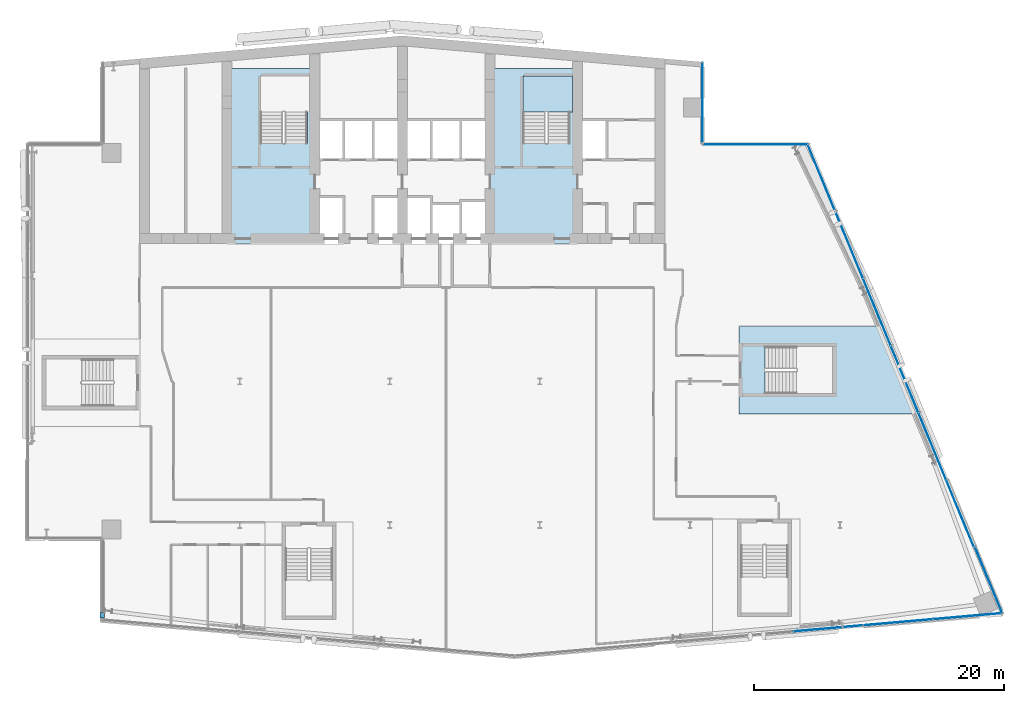
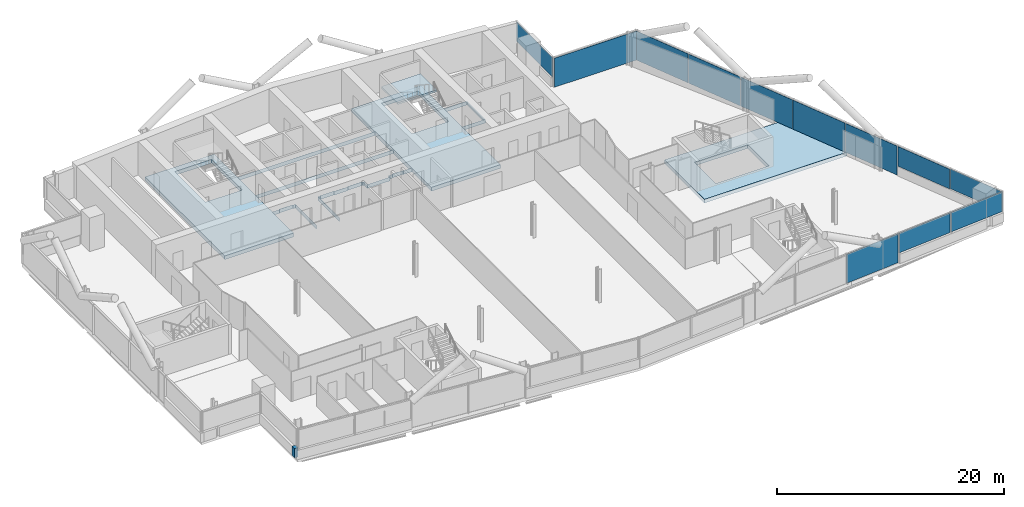
# One storey, part 14 of 26: 12 plates, 3 slabs, 1 wall, 5 elements without a shape of their own.
"""IFC4 building model written with IfcOpenShell, lengths in metres."""

from ifc_helpers import new_model, si_unit, direction, frame, frame_2d, origin, origin_2d, place, context, subcontext, project, spatial, polyline, rectangle, outline, extrude, material, layer, layer_set, type_object, element, aggregate, save


model = new_model("IFC4")

# Units and contexts
model_context = context("Model", 3, precision=1e-05, world=origin(), true_north=direction((0.0, 1.0)))
body_context = subcontext(model_context, "Body", "Model", "MODEL_VIEW")
ifc_project = project(units=[si_unit("LENGTHUNIT", "METRE"), si_unit("AREAUNIT", "SQUARE_METRE"), si_unit("VOLUMEUNIT", "CUBIC_METRE"), si_unit("PLANEANGLEUNIT", "RADIAN"), si_unit("MASSUNIT", "GRAM", prefix="KILO")], contexts=[model_context])

# Site, building, storey
site_placement = place(None, origin())
site = spatial("IfcSite", under=ifc_project, at=site_placement, CompositionType="ELEMENT")
building_placement = place(site_placement, origin())
building = spatial("IfcBuilding", under=site, at=building_placement, Name="Wharfspan Tower", CompositionType="ELEMENT")
storey_placement = place(building_placement, frame((0.0, 0.0, 177.100098)))
storey = spatial("IfcBuildingStorey", under=building, at=storey_placement, Name="L43", CompositionType="ELEMENT", Elevation=177.100098)

# Curtain wall, plates
ifc_material_1 = material(Name="Aluminium 6063-T6", Category="aluminium")
curtain_wall_type_1 = type_object("IfcCurtainWallType", Name="CURTAIN WALL FACETED FRONT", PredefinedType="NOTDEFINED", material=ifc_material_1)
curtain_wall_1_placement = place(storey_placement, origin())
curtain_wall_1 = element("IfcCurtainWall", 1, at=curtain_wall_1_placement, inside=storey, type_object=curtain_wall_type_1, Name="Curtain wall S2", PredefinedType="NOTDEFINED")
ifc_material_2 = material(Name="Glass clear low-iron double glazing", Category="glass")
ifc_layer_1 = layer(ifc_material_2, 0.040039)
ifc_layer_set_1 = layer_set([ifc_layer_1], Name="Glass clear low-iron double glazing")
plate_type_1 = type_object("IfcPlateType", Name="GLASS PANEL FACETED FRONT 40", PredefinedType="CURTAIN_PANEL", material=ifc_layer_set_1)
plate_1_placement = place(storey_placement, frame((76.637695, 3.728516, 0.999756), z_axis=(0.0, 0.0, 1.0), x_axis=(0.996198, 0.087156, 0.0)))
plate_1 = element("IfcPlate", 2, at=plate_1_placement, type_object=plate_type_1, Name="Curtain wall S2 panel 6", PredefinedType="CURTAIN_PANEL", context=body_context, shape_type="SweptSolid", body=[
    extrude(rectangle(XDim=5.532715, YDim=0.040039, at=origin_2d()), origin(), (0.0, 0.0, 1.0), 2.120117),
])
plate_2_placement = place(storey_placement, frame((82.194092, 4.214844, 0.999756), z_axis=(0.0, 0.0, 1.0), x_axis=(0.996198, 0.087156, 0.0)))
plate_2 = element("IfcPlate", 3, at=plate_2_placement, type_object=plate_type_1, Name="Curtain wall S2 panel 7", PredefinedType="CURTAIN_PANEL", context=body_context, shape_type="SweptSolid", body=[
    extrude(rectangle(XDim=5.502686, YDim=0.040039, at=origin_2d()), origin(), (0.0, 0.0, 1.0), 2.120117),
])

curtain_wall_type_2 = type_object("IfcCurtainWallType", Name="CURTAIN WALL PROW AND END", PredefinedType="NOTDEFINED", material=ifc_material_1)
curtain_wall_2_placement = place(storey_placement, origin())
curtain_wall_2 = element("IfcCurtainWall", 4, at=curtain_wall_2_placement, inside=storey, type_object=curtain_wall_type_2, Name="Curtain wall E", PredefinedType="NOTDEFINED")
ifc_layer_2 = layer(ifc_material_2, 0.040039)
ifc_layer_set_2 = layer_set([ifc_layer_2], Name="Glass clear low-iron double glazing")
plate_type_2 = type_object("IfcPlateType", Name="GLASS PANEL PROW AND END 40", PredefinedType="CURTAIN_PANEL", material=ifc_layer_set_2)
plate_3_placement = place(storey_placement, frame((83.885498, 7.099609, 0.999756), z_axis=(0.0, 0.0, 1.0), x_axis=(-0.381602, 0.924325, 0.0)))
plate_3 = element("IfcPlate", 5, at=plate_3_placement, type_object=plate_type_2, Name="Curtain wall E panel 1", PredefinedType="CURTAIN_PANEL", context=body_context, shape_type="SweptSolid", body=[
    extrude(rectangle(XDim=5.721191, YDim=0.040039, at=origin_2d()), origin(), (0.0, 0.0, 1.0), 2.120117),
])
plate_4_placement = place(storey_placement, frame((81.599609, 12.426514, 0.999756), z_axis=(0.0, 0.0, 1.0), x_axis=(-0.381602, 0.924325, 0.0)))
plate_4 = element("IfcPlate", 6, at=plate_4_placement, type_object=plate_type_2, Name="Curtain wall E panel 2", PredefinedType="CURTAIN_PANEL", context=body_context, shape_type="SweptSolid", body=[
    extrude(rectangle(XDim=5.751221, YDim=0.040039, at=origin_2d()), origin(), (0.0, 0.0, 1.0), 2.120117),
])

# Curtain wall, plate
curtain_wall_3_placement = place(storey_placement, origin())
curtain_wall_3 = element("IfcCurtainWall", 7, at=curtain_wall_3_placement, inside=storey, type_object=curtain_wall_type_2, Name="Curtain wall NRE-V", PredefinedType="NOTDEFINED")
plate_5_placement = place(storey_placement, frame((61.0, 45.262451, 0.999756), z_axis=(0.0, 0.0, 1.0), x_axis=(0.0, 1.0, 0.0)))
plate_5 = element("IfcPlate", 8, at=plate_5_placement, type_object=plate_type_2, Name="Curtain wall NRE-V panel 1", PredefinedType="CURTAIN_PANEL", context=body_context, shape_type="SweptSolid", body=[
    extrude(rectangle(XDim=6.405029, YDim=0.040039, at=origin_2d()), origin(), (0.0, 0.0, 1.0), 2.120117),
])
aggregate(curtain_wall_3, [plate_5])

# Plate
ifc_material_3 = material(Name="Aluminium composite opaque insulated panel", Category="aluminium")
ifc_layer_3 = layer(ifc_material_3, 0.040039)
ifc_layer_set_3 = layer_set([ifc_layer_3], Name="Aluminium composite opaque insulated panel")
plate_type_3 = type_object("IfcPlateType", Name="INFILL PANEL FACETED FRONT OPAQUE 40", PredefinedType="SHEET", material=ifc_layer_set_3)
plate_6_placement = place(storey_placement, frame((71.066162, 3.241211, -0.000244), z_axis=(0.0, 0.0, 1.0), x_axis=(0.996198, 0.087156, 0.0)))
plate_6 = element("IfcPlate", 9, at=plate_6_placement, type_object=plate_type_3, Name="Curtain wall S2 panel 5", PredefinedType="SHEET", context=body_context, shape_type="SweptSolid", body=[
    extrude(rectangle(XDim=5.532715, YDim=0.040039, at=origin_2d()), origin(), (0.0, 0.0, 1.0), 3.120117),
])

aggregate(curtain_wall_1, [plate_6, plate_1, plate_2])

ifc_layer_4 = layer(ifc_material_3, 0.040039)
ifc_layer_set_4 = layer_set([ifc_layer_4], Name="Aluminium composite opaque insulated panel")
plate_type_4 = type_object("IfcPlateType", Name="INFILL PANEL PROW AND END OPAQUE 40", PredefinedType="SHEET", material=ifc_layer_set_4)
plate_7_placement = place(storey_placement, frame((79.38208, 17.798096, -0.000244), z_axis=(0.0, 0.0, 1.0), x_axis=(-0.381602, 0.924325, 0.0)))
plate_7 = element("IfcPlate", 10, at=plate_7_placement, type_object=plate_type_4, Name="Curtain wall E panel 3", PredefinedType="SHEET", context=body_context, shape_type="SweptSolid", body=[
    extrude(rectangle(XDim=5.751221, YDim=0.040039, at=origin_2d()), origin(), (0.0, 0.0, 1.0), 3.120117),
])

plate_8_placement = place(storey_placement, frame((77.164551, 23.169434, -0.000244), z_axis=(0.0, 0.0, 1.0), x_axis=(-0.381602, 0.924325, 0.0)))
plate_8 = element("IfcPlate", 11, at=plate_8_placement, type_object=plate_type_4, Name="Curtain wall E panel 4", PredefinedType="SHEET", context=body_context, shape_type="SweptSolid", body=[
    extrude(rectangle(XDim=5.751221, YDim=0.040039, at=origin_2d()), origin(), (0.0, 0.0, 1.0), 3.120117),
])

plate_9_placement = place(storey_placement, frame((74.947021, 28.541016, -0.000244), z_axis=(0.0, 0.0, 1.0), x_axis=(-0.381602, 0.924325, 0.0)))
plate_9 = element("IfcPlate", 12, at=plate_9_placement, type_object=plate_type_4, Name="Curtain wall E panel 5", PredefinedType="SHEET", context=body_context, shape_type="SweptSolid", body=[
    extrude(rectangle(XDim=5.751221, YDim=0.040039, at=origin_2d()), origin(), (0.0, 0.0, 1.0), 3.120117),
])

plate_10_placement = place(storey_placement, frame((72.729492, 33.912354, -0.000244), z_axis=(0.0, 0.0, 1.0), x_axis=(-0.381602, 0.924325, 0.0)))
plate_10 = element("IfcPlate", 13, at=plate_10_placement, type_object=plate_type_4, Name="Curtain wall E panel 6", PredefinedType="SHEET", context=body_context, shape_type="SweptSolid", body=[
    extrude(rectangle(XDim=5.751221, YDim=0.040039, at=origin_2d()), origin(), (0.0, 0.0, 1.0), 3.120117),
])

plate_11_placement = place(storey_placement, frame((70.517578, 39.269775, -0.000244), z_axis=(0.0, 0.0, 1.0), x_axis=(-0.381602, 0.924325, 0.0)))
plate_11 = element("IfcPlate", 14, at=plate_11_placement, type_object=plate_type_4, Name="Curtain wall E panel 7", PredefinedType="SHEET", context=body_context, shape_type="SweptSolid", body=[
    extrude(rectangle(XDim=5.721191, YDim=0.040039, at=origin_2d()), origin(), (0.0, 0.0, 1.0), 3.120117),
])

aggregate(curtain_wall_2, [plate_3, plate_4, plate_7, plate_8, plate_9, plate_10, plate_11])

# Curtain wall, plate
curtain_wall_4_placement = place(storey_placement, origin())
curtain_wall_4 = element("IfcCurtainWall", 15, at=curtain_wall_4_placement, inside=storey, type_object=curtain_wall_type_2, Name="Curtain wall NRE-H", PredefinedType="NOTDEFINED")
plate_12_placement = place(storey_placement, frame((65.238525, 41.919922, -0.000244), z_axis=(0.0, 0.0, 1.0), x_axis=(-1.0, 0.0, 0.0)))
plate_12 = element("IfcPlate", 16, at=plate_12_placement, type_object=plate_type_4, Name="Curtain wall NRE-H panel 1", PredefinedType="SHEET", context=body_context, shape_type="SweptSolid", body=[
    extrude(rectangle(XDim=8.357178, YDim=0.040039, at=origin_2d()), origin(), (0.0, 0.0, 1.0), 3.120117),
])
aggregate(curtain_wall_4, [plate_12])

# Slabs
ifc_material_4 = material(Name="Concrete C40/50", Category="concrete")
ifc_layer_5 = layer(ifc_material_4, 0.399902)
ifc_layer_set_5 = layer_set([ifc_layer_5], Name="Concrete C40/50")
slab_type_1 = type_object("IfcSlabType", Name="Post-tensioned flat slab 400", PredefinedType="FLOOR", material=ifc_layer_set_5)
slab_1_placement = place(storey_placement, frame((0.0, 0.0, -0.400146)))
element("IfcSlab", 17, at=slab_1_placement, inside=storey, type_object=slab_type_1, Name="Core floor slab L43 part 3", PredefinedType="FLOOR", context=body_context, shape_type="SweptSolid", body=[
    extrude(outline(polyline([(23.0, 34.0), (29.998047, 34.0), (29.998047, 37.75), (29.998047, 37.750244), (29.998047, 37.750488), (29.998047, 37.750488), (29.998291, 37.750732), (29.998291, 37.750977), (29.998291, 37.751221), (29.998535, 37.751221), (29.998535, 37.751465), (29.998779, 37.751465), (29.998779, 37.751709), (29.999023, 37.751709), (29.999268, 37.751709), (29.999512, 37.751953), (29.999512, 37.751953), (29.999756, 37.751953), (30.0, 37.751953), (30.7146, 37.751953), (30.7146, 37.800049), (30.7146, 37.800293), (30.7146, 37.800293), (30.714844, 37.800537), (30.714844, 37.800781), (30.714844, 37.800781), (30.715088, 37.801025), (30.715088, 37.80127), (30.715332, 37.801514), (30.715332, 37.801514), (30.715576, 37.801758), (30.71582, 37.801758), (30.71582, 37.801758), (30.716064, 37.802002), (30.716309, 37.802002), (30.716553, 37.802002), (30.716797, 37.802002), (32.116699, 37.802002), (32.116943, 37.802002), (32.117188, 37.802002), (32.117188, 37.802002), (32.117432, 37.801758), (32.117676, 37.801758), (32.11792, 37.801758), (32.11792, 37.801514), (32.118164, 37.801514), (32.118164, 37.80127), (32.118408, 37.801025), (32.118408, 37.800781), (32.118408, 37.800781), (32.118652, 37.800537), (32.118652, 37.800293), (32.118652, 37.800293), (32.118652, 37.800049), (32.118652, 37.751953), (32.333252, 37.751953), (32.333496, 37.751953), (32.33374, 37.751953), (32.333984, 37.751953), (32.333984, 37.751709), (32.334229, 37.751709), (32.334473, 37.751709), (32.334717, 37.751465), (32.334717, 37.751465), (32.334961, 37.751221), (32.334961, 37.751221), (32.335205, 37.750977), (32.335205, 37.750732), (32.335205, 37.750488), (32.335205, 37.750488), (32.335205, 37.750244), (32.335205, 37.75), (32.335205, 34.0), (32.341309, 34.0), (32.341309, 37.758057), (32.126709, 37.758057), (32.126465, 37.758057), (32.126221, 37.758057), (32.126221, 37.758057), (32.125977, 37.758301), (32.125732, 37.758301), (32.125488, 37.758301), (32.125488, 37.758545), (32.125244, 37.758545), (32.125244, 37.758789), (32.125, 37.758789), (32.125, 37.759033), (32.125, 37.759277), (32.124756, 37.759521), (32.124756, 37.759521), (32.124756, 37.759766), (32.124756, 37.76001), (32.124756, 37.808105), (30.70874, 37.808105), (30.70874, 37.76001), (30.70874, 37.759766), (30.70874, 37.759521), (30.708496, 37.759521), (30.708496, 37.759277), (30.708496, 37.759033), (30.708496, 37.758789), (30.708252, 37.758789), (30.708008, 37.758545), (30.708008, 37.758545), (30.707764, 37.758301), (30.70752, 37.758301), (30.70752, 37.758301), (30.707275, 37.758057), (30.707031, 37.758057), (30.706787, 37.758057), (30.706787, 37.758057), (30.01001, 37.758057), (30.009766, 37.758057), (30.009521, 37.758057), (30.009521, 37.758057), (30.009277, 37.758301), (30.009033, 37.758301), (30.008789, 37.758301), (30.008789, 37.758545), (30.008545, 37.758545), (30.008545, 37.758789), (30.008301, 37.758789), (30.008301, 37.759033), (30.008301, 37.759277), (30.008057, 37.759521), (30.008057, 37.759521), (30.008057, 37.759766), (30.008057, 37.76001), (30.008057, 40.689941), (30.008057, 40.690186), (30.008057, 40.69043), (30.008057, 40.690674), (30.008301, 40.690918), (30.008301, 40.690918), (30.008301, 40.691162), (30.008545, 40.691406), (30.008545, 40.691406), (30.008789, 40.691406), (30.008789, 40.69165), (30.009033, 40.691895), (30.009277, 40.691895), (30.009521, 40.691895), (30.009521, 40.691895), (30.009766, 40.691895), (30.01001, 40.691895), (43.98999, 40.691895), (43.990234, 40.691895), (43.990479, 40.691895), (43.990479, 40.691895), (43.990723, 40.691895), (43.990967, 40.691895), (43.991211, 40.69165), (43.991211, 40.691406), (43.991455, 40.691406), (43.991455, 40.691406), (43.991699, 40.691162), (43.991699, 40.690918), (43.991699, 40.690918), (43.991943, 40.690674), (43.991943, 40.69043), (43.991943, 40.690186), (43.991943, 40.689941), (43.991943, 37.459961), (43.991943, 37.459717), (43.991943, 37.459717), (43.991943, 37.459473), (43.991699, 37.459229), (43.991699, 37.458984), (43.991699, 37.458984), (43.991455, 37.45874), (43.991455, 37.458496), (43.991211, 37.458496), (43.991211, 37.458252), (43.990967, 37.458252), (43.990723, 37.458252), (43.990479, 37.458008), (43.990479, 37.458008), (43.990234, 37.458008), (43.98999, 37.458008), (43.143311, 37.458008), (43.143066, 37.458008), (43.142822, 37.458008), (43.142578, 37.458008), (43.142578, 37.458252), (43.142334, 37.458252), (43.14209, 37.458252), (43.14209, 37.458496), (43.141846, 37.458496), (43.141846, 37.45874), (43.141602, 37.458984), (43.141602, 37.458984), (43.141602, 37.459229), (43.141357, 37.459473), (43.141357, 37.459717), (43.141357, 37.459717), (43.141357, 37.459961), (43.141357, 37.508057), (42.025391, 37.508057), (42.025391, 37.459961), (42.025391, 37.459717), (42.025391, 37.459717), (42.025146, 37.459473), (42.025146, 37.459229), (42.025146, 37.458984), (42.024902, 37.458984), (42.024902, 37.45874), (42.024658, 37.458496), (42.024658, 37.458496), (42.024414, 37.458252), (42.02417, 37.458252), (42.02417, 37.458252), (42.023926, 37.458008), (42.023682, 37.458008), (42.023438, 37.458008), (42.023193, 37.458008), (41.658691, 37.458008), (41.658691, 37.209961), (41.658691, 37.209717), (41.658691, 37.209717), (41.658691, 37.209473), (41.658447, 37.209229), (41.658447, 37.208984), (41.658447, 37.208984), (41.658203, 37.20874), (41.658203, 37.208496), (41.657959, 37.208496), (41.657715, 37.208252), (41.657715, 37.208252), (41.657471, 37.208252), (41.657227, 37.208008), (41.656982, 37.208008), (41.656982, 37.208008), (41.656738, 37.208008), (39.343262, 37.208008), (39.343018, 37.208008), (39.343018, 37.208008), (39.342773, 37.208008), (39.342529, 37.208252), (39.342285, 37.208252), (39.342285, 37.208252), (39.342041, 37.208496), (39.341797, 37.208496), (39.341797, 37.20874), (39.341553, 37.208984), (39.341553, 37.208984), (39.341553, 37.209229), (39.341309, 37.209473), (39.341309, 37.209717), (39.341309, 37.209717), (39.341309, 37.209961), (39.341309, 37.758057), (39.166748, 37.758057), (39.166504, 37.758057), (39.16626, 37.758057), (39.166016, 37.758057), (39.166016, 37.758301), (39.165771, 37.758301), (39.165527, 37.758301), (39.165283, 37.758545), (39.165283, 37.758545), (39.165283, 37.758789), (39.165039, 37.758789), (39.164795, 37.759033), (39.164795, 37.759277), (39.164795, 37.759521), (39.164795, 37.759521), (39.164795, 37.759766), (39.164795, 37.76001), (39.164795, 37.808105), (37.668701, 37.808105), (37.668701, 37.76001), (37.668701, 37.759766), (37.668701, 37.759521), (37.668701, 37.759521), (37.668457, 37.759277), (37.668457, 37.759033), (37.668457, 37.758789), (37.668213, 37.758789), (37.668213, 37.758545), (37.667969, 37.758545), (37.667725, 37.758301), (37.66748, 37.758301), (37.66748, 37.758301), (37.667236, 37.758057), (37.666992, 37.758057), (37.666992, 37.758057), (37.666748, 37.758057), (36.293213, 37.758057), (36.293213, 37.758057), (36.292969, 37.758057), (36.292725, 37.758057), (36.29248, 37.758301), (36.29248, 37.758301), (36.292236, 37.758301), (36.291992, 37.758545), (36.291992, 37.758545), (36.291748, 37.758789), (36.291504, 37.758789), (36.291504, 37.759033), (36.291504, 37.759277), (36.291504, 37.759521), (36.29126, 37.759521), (36.29126, 37.759766), (36.29126, 37.76001), (36.29126, 37.808105), (34.875244, 37.808105), (34.875244, 37.76001), (34.875244, 37.759766), (34.875244, 37.759521), (34.875244, 37.759521), (34.875, 37.759277), (34.875, 37.759033), (34.875, 37.758789), (34.874756, 37.758789), (34.874756, 37.758545), (34.874512, 37.758545), (34.874512, 37.758301), (34.874268, 37.758301), (34.874023, 37.758301), (34.873779, 37.758057), (34.873779, 37.758057), (34.873535, 37.758057), (34.873291, 37.758057), (34.658691, 37.758057), (34.658691, 34.0), (34.664795, 34.0), (34.664795, 37.75), (34.664795, 37.750244), (34.664795, 37.750488), (34.664795, 37.750488), (34.664795, 37.750732), (34.664795, 37.750977), (34.665039, 37.751221), (34.665039, 37.751221), (34.665283, 37.751465), (34.665283, 37.751465), (34.665527, 37.751709), (34.665771, 37.751709), (34.666016, 37.751709), (34.666016, 37.751953), (34.66626, 37.751953), (34.666504, 37.751953), (34.666748, 37.751953), (34.881348, 37.751953), (34.881348, 37.800049), (34.881348, 37.800293), (34.881348, 37.800293), (34.881348, 37.800537), (34.881592, 37.800781), (34.881592, 37.800781), (34.881592, 37.801025), (34.881836, 37.80127), (34.881836, 37.801514), (34.88208, 37.801514), (34.88208, 37.801758), (34.882324, 37.801758), (34.882568, 37.801758), (34.882812, 37.802002), (34.882812, 37.802002), (34.883057, 37.802002), (34.883301, 37.802002), (36.283203, 37.802002), (36.283447, 37.802002), (36.283691, 37.802002), (36.283936, 37.802002), (36.28418, 37.801758), (36.28418, 37.801758), (36.284424, 37.801758), (36.284668, 37.801514), (36.284668, 37.801514), (36.284912, 37.80127), (36.284912, 37.801025), (36.285156, 37.800781), (36.285156, 37.800781), (36.285156, 37.800537), (36.2854, 37.800293), (36.2854, 37.800293), (36.2854, 37.800049), (36.2854, 37.751953), (37.674805, 37.751953), (37.674805, 37.800049), (37.674805, 37.800293), (37.674805, 37.800293), (37.674805, 37.800537), (37.674805, 37.800781), (37.674805, 37.800781), (37.675049, 37.801025), (37.675049, 37.80127), (37.675293, 37.801514), (37.675293, 37.801514), (37.675537, 37.801758), (37.675781, 37.801758), (37.675781, 37.801758), (37.676025, 37.802002), (37.67627, 37.802002), (37.676514, 37.802002), (37.676758, 37.802002), (39.156738, 37.802002), (39.156982, 37.802002), (39.156982, 37.802002), (39.157227, 37.802002), (39.157471, 37.801758), (39.157715, 37.801758), (39.157715, 37.801758), (39.157959, 37.801514), (39.158203, 37.801514), (39.158203, 37.80127), (39.158203, 37.801025), (39.158447, 37.800781), (39.158447, 37.800781), (39.158691, 37.800537), (39.158691, 37.800293), (39.158691, 37.800293), (39.158691, 37.800049), (39.158691, 37.751953), (39.333252, 37.751953), (39.333496, 37.751953), (39.33374, 37.751953), (39.333984, 37.751953), (39.333984, 37.751709), (39.334229, 37.751709), (39.334473, 37.751709), (39.334717, 37.751465), (39.334717, 37.751465), (39.334961, 37.751221), (39.334961, 37.751221), (39.335205, 37.750977), (39.335205, 37.750732), (39.335205, 37.750488), (39.335205, 37.750488), (39.335205, 37.750244), (39.335205, 37.75), (39.335205, 37.201904), (41.664795, 37.201904), (41.664795, 37.449951), (41.664795, 37.450195), (41.664795, 37.450439), (41.664795, 37.450684), (41.664795, 37.450684), (41.664795, 37.450928), (41.665039, 37.451172), (41.665039, 37.451416), (41.665283, 37.451416), (41.665283, 37.451416), (41.665527, 37.45166), (41.665771, 37.451904), (41.666016, 37.451904), (41.666016, 37.451904), (41.66626, 37.451904), (41.666504, 37.451904), (41.666748, 37.451904), (42.03125, 37.451904), (42.03125, 37.5), (42.03125, 37.500244), (42.031494, 37.500488), (42.031494, 37.500488), (42.031494, 37.500732), (42.031494, 37.500977), (42.031738, 37.501221), (42.031738, 37.501221), (42.031982, 37.501465), (42.031982, 37.501465), (42.032227, 37.501709), (42.032471, 37.501709), (42.032715, 37.501709), (42.032715, 37.501953), (42.032959, 37.501953), (42.033203, 37.501953), (42.033203, 37.501953), (43.133301, 37.501953), (43.133545, 37.501953), (43.133789, 37.501953), (43.133789, 37.501953), (43.134033, 37.501709), (43.134277, 37.501709), (43.134521, 37.501709), (43.134521, 37.501465), (43.134766, 37.501465), (43.13501, 37.501221), (43.13501, 37.501221), (43.13501, 37.500977), (43.135254, 37.500732), (43.135254, 37.500488), (43.135254, 37.500488), (43.135254, 37.500244), (43.135254, 37.5), (43.135254, 37.451904), (44.0, 37.451904), (44.000244, 37.451904), (44.000488, 37.451904), (44.000488, 37.451904), (44.000732, 37.451904), (44.000977, 37.451904), (44.001221, 37.45166), (44.001221, 37.451416), (44.001465, 37.451416), (44.001465, 37.451416), (44.001709, 37.451172), (44.001709, 37.450928), (44.001709, 37.450684), (44.001953, 37.450684), (44.001953, 37.450439), (44.001953, 37.450195), (44.001953, 37.449951), (44.001953, 34.0), (51.0, 34.0), (51.008057, 34.0), (51.008057, 40.689941), (51.008057, 40.690186), (51.008057, 40.69043), (51.008057, 40.690674), (51.008301, 40.690918), (51.008301, 40.690918), (51.008301, 40.691162), (51.008545, 40.691406), (51.008545, 40.691406), (51.008789, 40.691406), (51.008789, 40.69165), (51.009033, 40.691895), (51.009277, 40.691895), (51.009521, 40.691895), (51.009521, 40.691895), (51.009766, 40.691895), (51.01001, 40.691895), (53.341309, 40.691895), (53.341309, 43.907959), (51.01001, 43.907959), (51.009766, 43.907959), (51.009521, 43.907959), (51.009521, 43.908203), (51.009277, 43.908203), (51.009033, 43.908203), (51.008789, 43.908203), (51.008789, 43.908447), (51.008545, 43.908691), (51.008545, 43.908691), (51.008301, 43.908936), (51.008301, 43.90918), (51.008301, 43.90918), (51.008057, 43.909424), (51.008057, 43.909668), (51.008057, 43.909912), (51.008057, 43.909912), (51.008057, 48.008057), (43.991943, 48.008057), (43.991943, 43.909912), (43.991943, 43.909912), (43.991943, 43.909668), (43.991943, 43.909424), (43.991699, 43.90918), (43.991699, 43.90918), (43.991699, 43.908936), (43.991455, 43.908691), (43.991455, 43.908691), (43.991211, 43.908447), (43.991211, 43.908203), (43.990967, 43.908203), (43.990723, 43.908203), (43.990479, 43.908203), (43.990479, 43.907959), (43.990234, 43.907959), (43.98999, 43.907959), (30.01001, 43.907959), (30.009766, 43.907959), (30.009521, 43.907959), (30.009521, 43.908203), (30.009277, 43.908203), (30.009033, 43.908203), (30.008789, 43.908203), (30.008789, 43.908447), (30.008545, 43.908691), (30.008545, 43.908691), (30.008301, 43.908936), (30.008301, 43.90918), (30.008301, 43.90918), (30.008057, 43.909424), (30.008057, 43.909668), (30.008057, 43.909912), (30.008057, 43.909912), (30.008057, 48.008057), (22.991943, 48.008057), (22.991943, 34.0), (23.0, 34.0)]), holes=[polyline([(53.333252, 43.9021), (53.333496, 43.9021), (53.33374, 43.9021), (53.333984, 43.901855), (53.333984, 43.901855), (53.334229, 43.901855), (53.334473, 43.901611), (53.334717, 43.901611), (53.334717, 43.901367), (53.334961, 43.901367), (53.334961, 43.901123), (53.335205, 43.900879), (53.335205, 43.900879), (53.335205, 43.900635), (53.335205, 43.900391), (53.335205, 43.900146), (53.335205, 43.899902), (53.335205, 40.699951), (53.335205, 40.699707), (53.335205, 40.699707), (53.335205, 40.699463), (53.335205, 40.699219), (53.335205, 40.699219), (53.334961, 40.698975), (53.334961, 40.69873), (53.334717, 40.698486), (53.334717, 40.698486), (53.334473, 40.698242), (53.334229, 40.698242), (53.333984, 40.698242), (53.333984, 40.697998), (53.33374, 40.697998), (53.333496, 40.697998), (53.333252, 40.697998), (51.0, 40.697998), (50.999756, 40.697998), (50.999512, 40.697998), (50.999512, 40.697998), (50.999268, 40.698242), (50.999023, 40.698242), (50.998779, 40.698242), (50.998779, 40.698486), (50.998535, 40.698486), (50.998535, 40.69873), (50.998291, 40.698975), (50.998291, 40.699219), (50.998291, 40.699219), (50.998047, 40.699463), (50.998047, 40.699707), (50.998047, 40.699707), (50.998047, 40.699951), (50.998047, 43.899902), (50.998047, 43.900146), (50.998047, 43.900391), (50.998047, 43.900635), (50.998291, 43.900879), (50.998291, 43.900879), (50.998291, 43.901123), (50.998535, 43.901367), (50.998535, 43.901367), (50.998779, 43.901611), (50.998779, 43.901611), (50.999023, 43.901855), (50.999268, 43.901855), (50.999512, 43.901855), (50.999512, 43.9021), (50.999756, 43.9021), (51.0, 43.9021), (53.333252, 43.9021)]), polyline([(46.649902, 41.998047), (46.649902, 41.998047), (46.649658, 41.998047), (46.649414, 41.998047), (46.64917, 41.998291), (46.64917, 41.998291), (46.648926, 41.998291), (46.648682, 41.998535), (46.648682, 41.998535), (46.648438, 41.998779), (46.648193, 41.998779), (46.648193, 41.999023), (46.648193, 41.999268), (46.648193, 41.999512), (46.647949, 41.999512), (46.647949, 41.999756), (46.647949, 42.0), (46.647949, 47.399902), (46.647949, 47.400146), (46.647949, 47.400391), (46.648193, 47.400635), (46.648193, 47.400879), (46.648193, 47.400879), (46.648193, 47.401123), (46.648438, 47.401367), (46.648682, 47.401367), (46.648682, 47.401611), (46.648926, 47.401611), (46.64917, 47.401855), (46.64917, 47.401855), (46.649414, 47.401855), (46.649658, 47.4021), (46.649902, 47.4021), (46.649902, 47.4021), (50.399902, 47.4021), (50.400146, 47.4021), (50.400391, 47.4021), (50.400635, 47.401855), (50.400879, 47.401855), (50.400879, 47.401855), (50.401123, 47.401611), (50.401367, 47.401611), (50.401367, 47.401367), (50.401611, 47.401367), (50.401611, 47.401123), (50.401855, 47.400879), (50.401855, 47.400879), (50.401855, 47.400635), (50.4021, 47.400391), (50.4021, 47.400146), (50.4021, 47.399902), (50.4021, 42.0), (50.4021, 41.999756), (50.4021, 41.999512), (50.401855, 41.999512), (50.401855, 41.999268), (50.401855, 41.999023), (50.401611, 41.998779), (50.401611, 41.998779), (50.401367, 41.998535), (50.401367, 41.998535), (50.401123, 41.998291), (50.400879, 41.998291), (50.400879, 41.998291), (50.400635, 41.998047), (50.400391, 41.998047), (50.400146, 41.998047), (50.399902, 41.998047), (46.649902, 41.998047)]), polyline([(44.0, 43.9021), (44.000244, 43.9021), (44.000488, 43.9021), (44.000488, 43.901855), (44.000732, 43.901855), (44.000977, 43.901855), (44.001221, 43.901611), (44.001221, 43.901611), (44.001465, 43.901367), (44.001465, 43.901367), (44.001709, 43.901123), (44.001709, 43.900879), (44.001709, 43.900879), (44.001953, 43.900635), (44.001953, 43.900391), (44.001953, 43.900146), (44.001953, 43.899902), (44.001953, 40.699951), (44.001953, 40.699707), (44.001953, 40.699707), (44.001953, 40.699463), (44.001709, 40.699219), (44.001709, 40.699219), (44.001709, 40.698975), (44.001465, 40.69873), (44.001465, 40.698486), (44.001221, 40.698486), (44.001221, 40.698242), (44.000977, 40.698242), (44.000732, 40.698242), (44.000488, 40.697998), (44.000488, 40.697998), (44.000244, 40.697998), (44.0, 40.697998), (30.0, 40.697998), (29.999756, 40.697998), (29.999512, 40.697998), (29.999512, 40.697998), (29.999268, 40.698242), (29.999023, 40.698242), (29.998779, 40.698242), (29.998779, 40.698486), (29.998535, 40.698486), (29.998535, 40.69873), (29.998291, 40.698975), (29.998291, 40.699219), (29.998291, 40.699219), (29.998047, 40.699463), (29.998047, 40.699707), (29.998047, 40.699707), (29.998047, 40.699951), (29.998047, 43.899902), (29.998047, 43.900146), (29.998047, 43.900391), (29.998047, 43.900635), (29.998291, 43.900879), (29.998291, 43.900879), (29.998291, 43.901123), (29.998535, 43.901367), (29.998535, 43.901367), (29.998779, 43.901611), (29.998779, 43.901611), (29.999023, 43.901855), (29.999268, 43.901855), (29.999512, 43.901855), (29.999512, 43.9021), (29.999756, 43.9021), (30.0, 43.9021), (44.0, 43.9021)]), polyline([(29.4021, 42.0), (29.4021, 41.999756), (29.4021, 41.999512), (29.401855, 41.999512), (29.401855, 41.999268), (29.401855, 41.999023), (29.401611, 41.998779), (29.401611, 41.998779), (29.401367, 41.998535), (29.401367, 41.998535), (29.401123, 41.998291), (29.400879, 41.998291), (29.400879, 41.998291), (29.400635, 41.998047), (29.400391, 41.998047), (29.400146, 41.998047), (29.399902, 41.998047), (25.649902, 41.998047), (25.649902, 41.998047), (25.649658, 41.998047), (25.649414, 41.998047), (25.64917, 41.998291), (25.64917, 41.998291), (25.648926, 41.998291), (25.648682, 41.998535), (25.648682, 41.998535), (25.648438, 41.998779), (25.648193, 41.998779), (25.648193, 41.999023), (25.648193, 41.999268), (25.648193, 41.999512), (25.647949, 41.999512), (25.647949, 41.999756), (25.647949, 42.0), (25.647949, 47.399902), (25.647949, 47.400146), (25.647949, 47.400391), (25.648193, 47.400635), (25.648193, 47.400879), (25.648193, 47.400879), (25.648193, 47.401123), (25.648438, 47.401367), (25.648682, 47.401367), (25.648682, 47.401611), (25.648926, 47.401611), (25.64917, 47.401855), (25.64917, 47.401855), (25.649414, 47.401855), (25.649658, 47.4021), (25.649902, 47.4021), (25.649902, 47.4021), (29.399902, 47.4021), (29.400146, 47.4021), (29.400391, 47.4021), (29.400635, 47.401855), (29.400879, 47.401855), (29.400879, 47.401855), (29.401123, 47.401611), (29.401367, 47.401611), (29.401367, 47.401367), (29.401611, 47.401367), (29.401611, 47.401123), (29.401855, 47.400879), (29.401855, 47.400879), (29.401855, 47.400635), (29.4021, 47.400391), (29.4021, 47.400146), (29.4021, 47.399902), (29.4021, 42.0)])]), origin(), (0.0, 0.0, 1.0), 0.400146),
])
slab_2_placement = place(storey_placement, frame((0.0, 0.0, -0.400146)))
element("IfcSlab", 18, at=slab_2_placement, inside=storey, type_object=slab_type_1, Name="Core floor slab L43 part 5", PredefinedType="FLOOR", context=body_context, shape_type="SweptSolid", body=[
    extrude(outline(polyline([(78.394531, 20.399902), (75.504639, 27.399902), (63.904541, 27.399902), (63.904541, 20.399902), (78.394531, 20.399902)]), holes=[polyline([(66.004639, 22.022949), (66.004395, 22.022949), (66.00415, 22.022949), (66.003906, 22.023193), (66.003906, 22.023193), (66.003662, 22.023193), (66.003418, 22.023193), (66.003418, 22.023438), (66.003174, 22.023682), (66.00293, 22.023682), (66.00293, 22.023926), (66.002686, 22.02417), (66.002686, 22.02417), (66.002686, 22.024414), (66.002686, 22.024658), (66.002686, 22.024902), (66.002686, 22.024902), (66.002686, 25.774902), (66.002686, 25.775146), (66.002686, 25.775391), (66.002686, 25.775635), (66.002686, 25.775879), (66.002686, 25.775879), (66.00293, 25.776123), (66.00293, 25.776367), (66.003174, 25.776367), (66.003418, 25.776611), (66.003418, 25.776611), (66.003662, 25.776855), (66.003906, 25.776855), (66.003906, 25.776855), (66.00415, 25.7771), (66.004395, 25.7771), (66.004639, 25.7771), (71.404541, 25.7771), (71.404785, 25.7771), (71.405029, 25.7771), (71.405273, 25.776855), (71.405518, 25.776855), (71.405518, 25.776855), (71.405762, 25.776611), (71.406006, 25.776611), (71.406006, 25.776367), (71.406006, 25.776367), (71.40625, 25.776123), (71.406494, 25.775879), (71.406494, 25.775879), (71.406494, 25.775635), (71.406494, 25.775391), (71.406494, 25.775146), (71.406494, 25.774902), (71.406494, 22.024902), (71.406494, 22.024902), (71.406494, 22.024658), (71.406494, 22.024414), (71.406494, 22.02417), (71.406494, 22.02417), (71.40625, 22.023926), (71.406006, 22.023682), (71.406006, 22.023682), (71.406006, 22.023438), (71.405762, 22.023193), (71.405518, 22.023193), (71.405518, 22.023193), (71.405273, 22.023193), (71.405029, 22.022949), (71.404785, 22.022949), (71.404541, 22.022949), (66.004639, 22.022949)])]), origin(), (0.0, 0.0, 1.0), 0.400146),
])

# Stair, slab
stair_type = type_object("IfcStairType", Name="Half-turn stair 20 risers 180 mm", PredefinedType="HALF_TURN_STAIR", material=ifc_material_4)
stair_placement = place(storey_placement, origin())
stair = element("IfcStair", 19, at=stair_placement, inside=storey, type_object=stair_type, Name="L43 stair ST2", PredefinedType="HALF_TURN_STAIR")
ifc_layer_6 = layer(ifc_material_4, 0.199951)
ifc_layer_set_6 = layer_set([ifc_layer_6], Name="Concrete C40/50")
slab_type_2 = type_object("IfcSlabType", Name="Stair landing 200", PredefinedType="LANDING", material=ifc_layer_set_6)
slab_3_placement = place(storey_placement, frame((0.0, 0.0, 1.599609)))
slab_3 = element("IfcSlab", 20, at=slab_3_placement, type_object=slab_type_2, Name="ST2 landing 1", PredefinedType="LANDING", context=body_context, shape_type="SweptSolid", body=[
    extrude(outline(polyline([(46.649902, 44.52002), (50.600098, 44.52002), (50.600098, 47.399902), (46.649902, 47.399902), (46.649902, 44.52002)])), origin(), (0.0, 0.0, 1.0), 0.200195),
])
aggregate(stair, [slab_3])

# Wall
ifc_layer_7 = layer(ifc_material_4, 0.350098)
ifc_layer_set_7 = layer_set([ifc_layer_7], Name="Concrete C40/50")
wall_type = type_object("IfcWallType", Name="SPANDREL EXPOSED CONCRETE 350", PredefinedType="SOLIDWALL", material=ifc_layer_set_7)
wall_placement = place(storey_placement, frame((12.995117, 4.512451, 0.0), z_axis=(0.0, 0.0, 1.0), x_axis=(0.0, -1.0, 0.0)))
element("IfcWall", 21, at=wall_placement, inside=storey, type_object=wall_type, Name="Spandrel upstand L43 NFW-V 2", PredefinedType="SOLIDWALL", context=body_context, shape_type="SweptSolid", body=[
    extrude(rectangle(XDim=0.453613, YDim=0.350098, at=frame_2d((0.226807, 0.0))), origin(), (0.0, 0.0, 1.0), 1.0),
])

save(model, "model.ifc")
